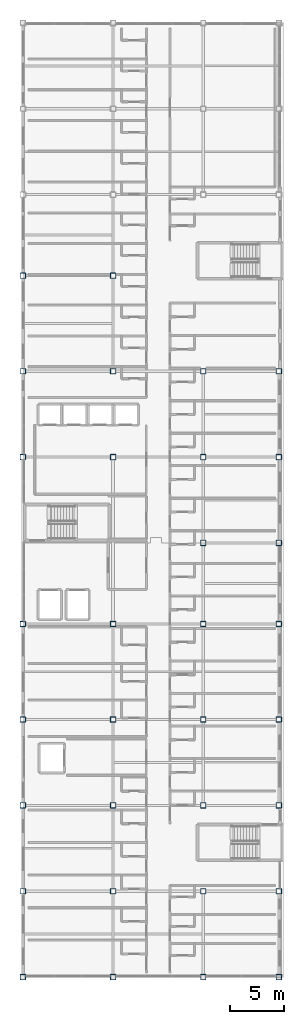
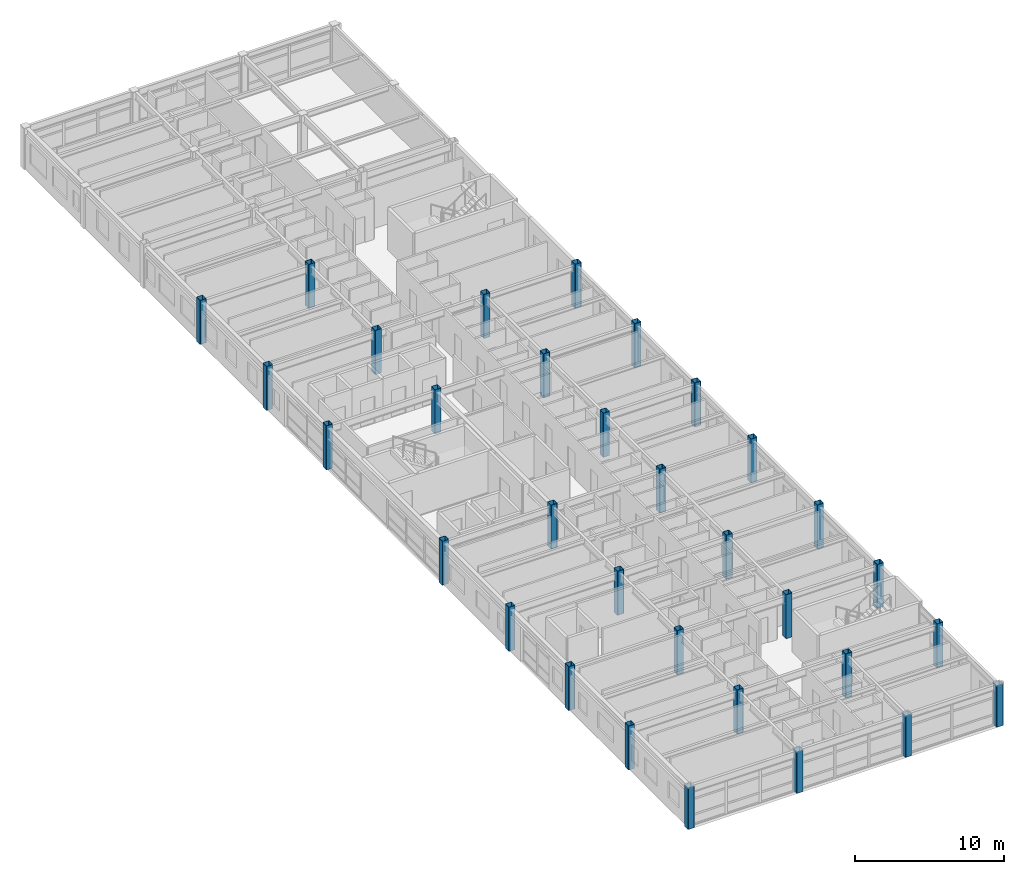
# One storey, part 1 of 33: 32 columns.
"""IFC4 building model written with IfcOpenShell, lengths in metres."""

from ifc_helpers import new_model, si_unit, direction, frame, origin, origin_2d, place, context, subcontext, project, spatial, hollow_rectangle, extrude, material, material_profile, profile_set, type_object, element, save


model = new_model("IFC4")

# Units and contexts
model_context = context("Model", 3, precision=1e-05, world=origin(), true_north=direction((0.0, 1.0)))
body_context = subcontext(model_context, "Body", "Model", "MODEL_VIEW")
ifc_project = project(units=[si_unit("LENGTHUNIT", "METRE"), si_unit("AREAUNIT", "SQUARE_METRE"), si_unit("VOLUMEUNIT", "CUBIC_METRE"), si_unit("PLANEANGLEUNIT", "RADIAN"), si_unit("MASSUNIT", "GRAM", prefix="KILO")], contexts=[model_context])

# Site, building, storey
site_placement = place(None, origin())
site = spatial("IfcSite", under=ifc_project, at=site_placement, CompositionType="ELEMENT")
building_placement = place(site_placement, origin())
building = spatial("IfcBuilding", under=site, at=building_placement, Name="Kazehara Bluff Congress Hotel", CompositionType="ELEMENT")
storey_placement = place(building_placement, frame((0.0, 0.0, 39.0)))
storey = spatial("IfcBuildingStorey", under=building, at=storey_placement, Name="L09", CompositionType="ELEMENT", Elevation=39.0)

# Columns
ifc_material = material(Name="Steel BCR295", Category="steel")
ifc_material_profile = material_profile(ifc_material, hollow_rectangle(XDim=0.5, YDim=0.5, WallThickness=0.02197265625, InnerFilletRadius=0.02197265625, OuterFilletRadius=0.0439453125, at=origin_2d()))
ifc_profile_set = profile_set([ifc_material_profile], Name="Steel BCR295")
column_type = type_object("IfcColumnType", Name="TP-C-07", PredefinedType="COLUMN", material=ifc_profile_set)
column_1_placement = place(storey_placement, frame((143.699951171875, 8.0, 0.0), z_axis=(0.0, 0.0, 1.0), x_axis=(1.0, 0.0, 0.0)))
element("IfcColumn", 1, at=column_1_placement, inside=storey, type_object=column_type, Name="L09 column C-07 (143.70,8.00)", PredefinedType="COLUMN", context=body_context, shape_type="SweptSolid", body=[
    extrude(hollow_rectangle(XDim=0.5, YDim=0.5, WallThickness=0.02197265625, InnerFilletRadius=0.02197265625, OuterFilletRadius=0.0439453125, at=origin_2d()), origin(), (0.0, 0.0, 1.0), 3.3798828125),
])
for number, where, z_axis, x_axis, name in (
    (2, (143.699951171875, 16.0, 0.0), (0.0, 0.0, 1.0), (1.0, 0.0, 0.0), "L09 column C-07 (143.70,16.00)"),
    (3, (143.699951171875, 24.0, 0.0), (0.0, 0.0, 1.0), (1.0, 0.0, 0.0), "L09 column C-07 (143.70,24.00)"),
    (4, (143.699951171875, 32.0, 0.0), (0.0, 0.0, 1.0), (1.0, 0.0, 0.0), "L09 column C-07 (143.70,32.00)"),
    (5, (143.699951171875, 40.89990234375, 0.0), (0.0, 0.0, 1.0), (1.0, 0.0, 0.0), "L09 column C-07 (143.70,40.90)"),
    (6, (143.699951171875, 56.449951171875, 0.0), (0.0, 0.0, 1.0), (1.0, 0.0, 0.0), "L09 column C-07 (143.70,56.45)"),
    (7, (143.699951171875, 64.449951171875, 0.0), (0.0, 0.0, 1.0), (1.0, 0.0, 0.0), "L09 column C-07 (143.70,64.45)"),
    (8, (143.699951171875, 73.35009765625, 0.0), (0.0, 0.0, 1.0), (1.0, 0.0, 0.0), "L09 column C-07 (143.70,73.35)"),
):
    element("IfcColumn", number, at=place(storey_placement, frame(where, z_axis=z_axis, x_axis=x_axis)), inside=storey, type_object=column_type, Name=name, PredefinedType="COLUMN", context=body_context, shape_type="SweptSolid", body=[
        extrude(hollow_rectangle(XDim=0.5, YDim=0.5, WallThickness=0.02197265625, InnerFilletRadius=0.02197265625, OuterFilletRadius=0.0439453125, at=origin_2d()), origin(), (0.0, 0.0, 1.0), 3.60009765625),
    ])
column_2_placement = place(storey_placement, frame((152.10009765625, 8.0, 0.0), z_axis=(0.0, 0.0, 1.0), x_axis=(1.0, 0.0, 0.0)))
element("IfcColumn", 9, at=column_2_placement, inside=storey, type_object=column_type, Name="L09 column C-07 (152.10,8.00)", PredefinedType="COLUMN", context=body_context, shape_type="SweptSolid", body=[
    extrude(hollow_rectangle(XDim=0.5, YDim=0.5, WallThickness=0.02197265625, InnerFilletRadius=0.02197265625, OuterFilletRadius=0.0439453125, at=origin_2d()), origin(), (0.0, 0.0, 1.0), 3.3798828125),
])
for number, where, z_axis, x_axis, name in (
    (10, (152.10009765625, 16.0, 0.0), (0.0, 0.0, 1.0), (1.0, 0.0, 0.0), "L09 column C-07 (152.10,16.00)"),
    (11, (152.10009765625, 24.0, 0.0), (0.0, 0.0, 1.0), (1.0, 0.0, 0.0), "L09 column C-07 (152.10,24.00)"),
    (12, (152.10009765625, 32.0, 0.0), (0.0, 0.0, 1.0), (1.0, 0.0, 0.0), "L09 column C-07 (152.10,32.00)"),
    (13, (152.10009765625, 40.89990234375, 0.0), (0.0, 0.0, 1.0), (1.0, 0.0, 0.0), "L09 column C-07 (152.10,40.90)"),
    (14, (152.10009765625, 56.449951171875, 0.0), (0.0, 0.0, 1.0), (1.0, 0.0, 0.0), "L09 column C-07 (152.10,56.45)"),
    (15, (152.10009765625, 64.449951171875, 0.0), (0.0, 0.0, 1.0), (1.0, 0.0, 0.0), "L09 column C-07 (152.10,64.45)"),
    (16, (152.10009765625, 73.35009765625, 0.0), (0.0, 0.0, 1.0), (1.0, 0.0, 0.0), "L09 column C-07 (152.10,73.35)"),
):
    element("IfcColumn", number, at=place(storey_placement, frame(where, z_axis=z_axis, x_axis=x_axis)), inside=storey, type_object=column_type, Name=name, PredefinedType="COLUMN", context=body_context, shape_type="SweptSolid", body=[
        extrude(hollow_rectangle(XDim=0.5, YDim=0.5, WallThickness=0.02197265625, InnerFilletRadius=0.02197265625, OuterFilletRadius=0.0439453125, at=origin_2d()), origin(), (0.0, 0.0, 1.0), 3.60009765625),
    ])
column_3_placement = place(storey_placement, frame((160.5, 8.0, 0.0), z_axis=(0.0, 0.0, 1.0), x_axis=(1.0, 0.0, 0.0)))
element("IfcColumn", 17, at=column_3_placement, inside=storey, type_object=column_type, Name="L09 column C-07 (160.50,8.00)", PredefinedType="COLUMN", context=body_context, shape_type="SweptSolid", body=[
    extrude(hollow_rectangle(XDim=0.5, YDim=0.5, WallThickness=0.02197265625, InnerFilletRadius=0.02197265625, OuterFilletRadius=0.0439453125, at=origin_2d()), origin(), (0.0, 0.0, 1.0), 3.3798828125),
])
for number, where, z_axis, x_axis, name in (
    (18, (160.5, 16.0, 0.0), (0.0, 0.0, 1.0), (1.0, 0.0, 0.0), "L09 column C-07 (160.50,16.00)"),
    (19, (160.5, 24.0, 0.0), (0.0, 0.0, 1.0), (1.0, 0.0, 0.0), "L09 column C-07 (160.50,24.00)"),
    (20, (160.5, 32.0, 0.0), (0.0, 0.0, 1.0), (1.0, 0.0, 0.0), "L09 column C-07 (160.50,32.00)"),
    (21, (160.5, 40.89990234375, 0.0), (0.0, 0.0, 1.0), (1.0, 0.0, 0.0), "L09 column C-07 (160.50,40.90)"),
    (22, (160.5, 48.449951171875, 0.0), (0.0, 0.0, 1.0), (1.0, 0.0, 0.0), "L09 column C-07 (160.50,48.45)"),
    (23, (160.5, 56.449951171875, 0.0), (0.0, 0.0, 1.0), (1.0, 0.0, 0.0), "L09 column C-07 (160.50,56.45)"),
    (24, (160.5, 64.449951171875, 0.0), (0.0, 0.0, 1.0), (1.0, 0.0, 0.0), "L09 column C-07 (160.50,64.45)"),
):
    element("IfcColumn", number, at=place(storey_placement, frame(where, z_axis=z_axis, x_axis=x_axis)), inside=storey, type_object=column_type, Name=name, PredefinedType="COLUMN", context=body_context, shape_type="SweptSolid", body=[
        extrude(hollow_rectangle(XDim=0.5, YDim=0.5, WallThickness=0.02197265625, InnerFilletRadius=0.02197265625, OuterFilletRadius=0.0439453125, at=origin_2d()), origin(), (0.0, 0.0, 1.0), 3.60009765625),
    ])
column_4_placement = place(storey_placement, frame((167.550048828125, 8.0, 0.0), z_axis=(0.0, 0.0, 1.0), x_axis=(1.0, 0.0, 0.0)))
element("IfcColumn", 25, at=column_4_placement, inside=storey, type_object=column_type, Name="L09 column C-07 (167.55,8.00)", PredefinedType="COLUMN", context=body_context, shape_type="SweptSolid", body=[
    extrude(hollow_rectangle(XDim=0.5, YDim=0.5, WallThickness=0.02197265625, InnerFilletRadius=0.02197265625, OuterFilletRadius=0.0439453125, at=origin_2d()), origin(), (0.0, 0.0, 1.0), 3.3798828125),
])
for number, where, z_axis, x_axis, name in (
    (26, (167.550048828125, 16.0, 0.0), (0.0, 0.0, 1.0), (1.0, 0.0, 0.0), "L09 column C-07 (167.55,16.00)"),
    (27, (167.550048828125, 24.0, 0.0), (0.0, 0.0, 1.0), (1.0, 0.0, 0.0), "L09 column C-07 (167.55,24.00)"),
    (28, (167.550048828125, 32.0, 0.0), (0.0, 0.0, 1.0), (1.0, 0.0, 0.0), "L09 column C-07 (167.55,32.00)"),
    (29, (167.550048828125, 40.89990234375, 0.0), (0.0, 0.0, 1.0), (1.0, 0.0, 0.0), "L09 column C-07 (167.55,40.90)"),
    (30, (167.550048828125, 48.449951171875, 0.0), (0.0, 0.0, 1.0), (1.0, 0.0, 0.0), "L09 column C-07 (167.55,48.45)"),
    (31, (167.550048828125, 56.449951171875, 0.0), (0.0, 0.0, 1.0), (1.0, 0.0, 0.0), "L09 column C-07 (167.55,56.45)"),
    (32, (167.550048828125, 64.449951171875, 0.0), (0.0, 0.0, 1.0), (1.0, 0.0, 0.0), "L09 column C-07 (167.55,64.45)"),
):
    element("IfcColumn", number, at=place(storey_placement, frame(where, z_axis=z_axis, x_axis=x_axis)), inside=storey, type_object=column_type, Name=name, PredefinedType="COLUMN", context=body_context, shape_type="SweptSolid", body=[
        extrude(hollow_rectangle(XDim=0.5, YDim=0.5, WallThickness=0.02197265625, InnerFilletRadius=0.02197265625, OuterFilletRadius=0.0439453125, at=origin_2d()), origin(), (0.0, 0.0, 1.0), 3.60009765625),
    ])

save(model, "model.ifc")
